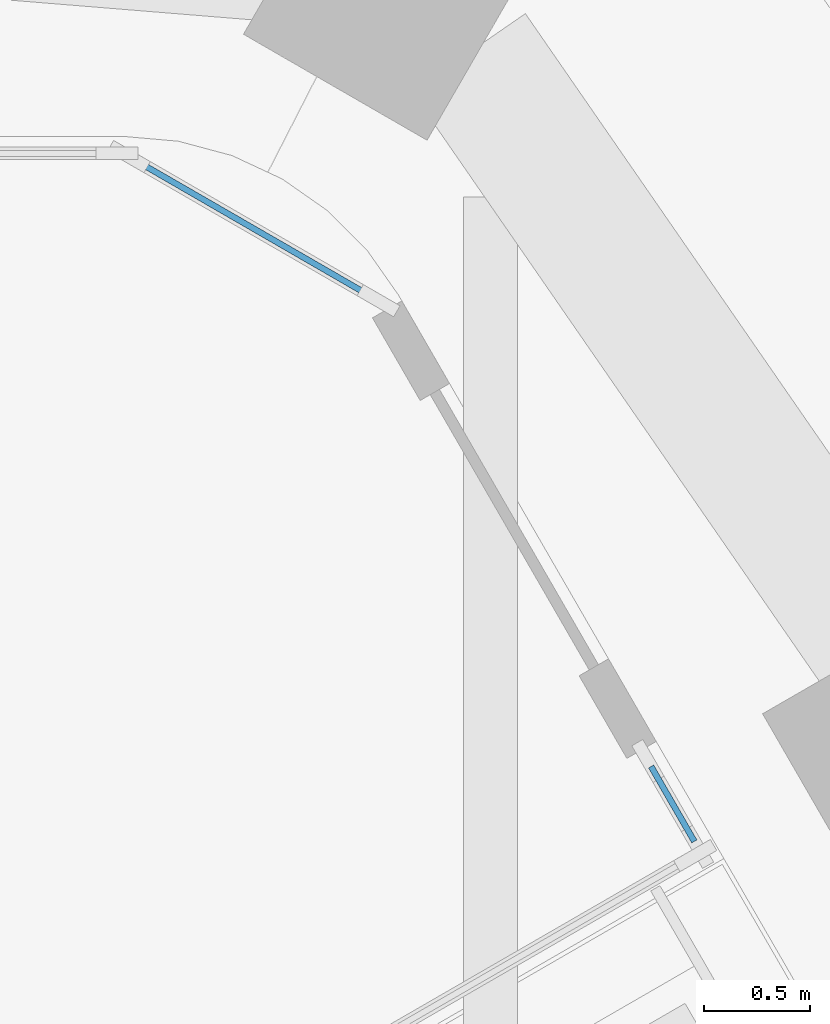
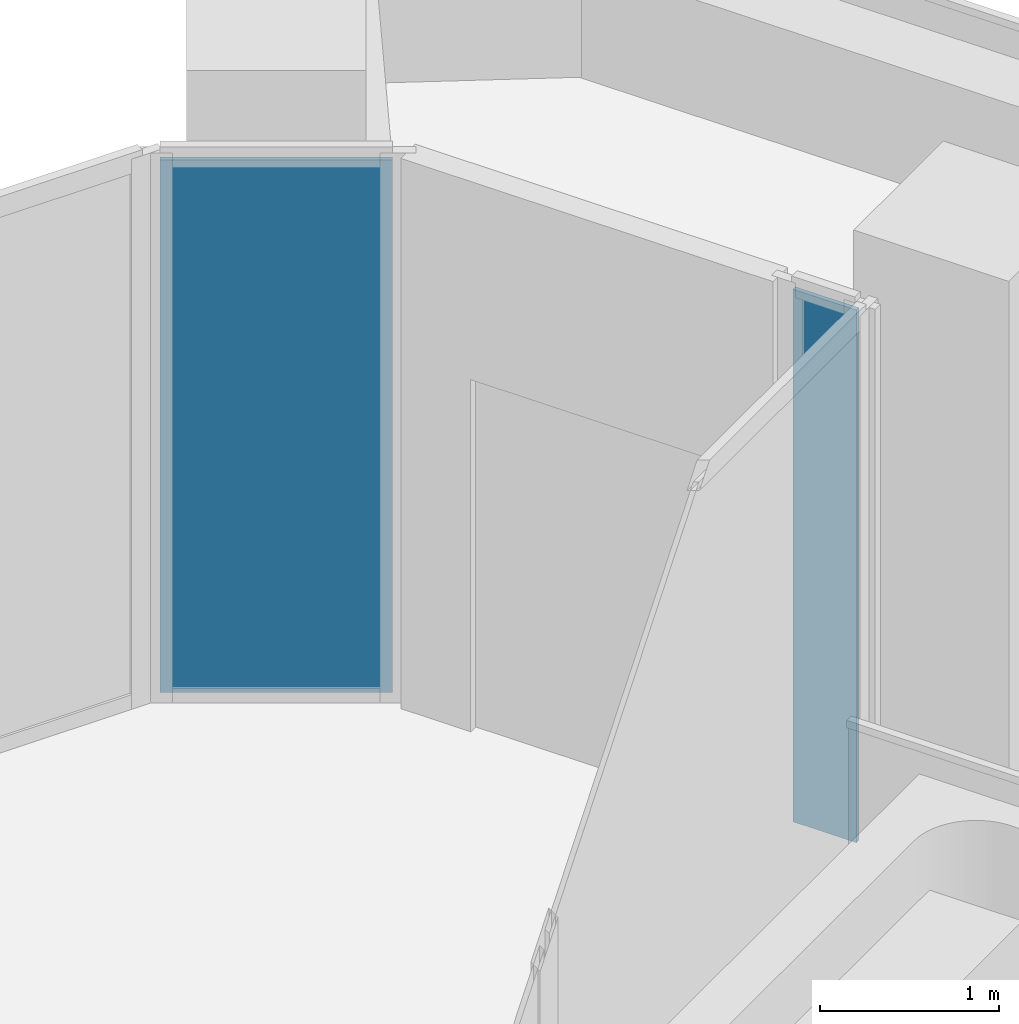
# One storey, part 10 of 17: 2 plates, 2 elements without a shape of their own.
"""IFC4 building model written with IfcOpenShell, lengths in metres."""

from ifc_helpers import new_model, si_unit, direction, frame, origin, origin_2d, place, context, subcontext, project, spatial, rectangle, extrude, material, layer, layer_set, type_object, element, aggregate, save


model = new_model("IFC4")

# Units and contexts
model_context = context("Model", 3, precision=1e-05, world=origin(), true_north=direction((0.0, 1.0)))
body_context = subcontext(model_context, "Body", "Model", "MODEL_VIEW")
ifc_project = project(units=[si_unit("LENGTHUNIT", "METRE"), si_unit("AREAUNIT", "SQUARE_METRE"), si_unit("VOLUMEUNIT", "CUBIC_METRE"), si_unit("PLANEANGLEUNIT", "RADIAN"), si_unit("MASSUNIT", "GRAM", prefix="KILO")], contexts=[model_context])

# Site, building, storey
site_placement = place(None, origin())
site = spatial("IfcSite", under=ifc_project, at=site_placement, CompositionType="ELEMENT")
building_placement = place(site_placement, origin())
building = spatial("IfcBuilding", under=site, at=building_placement, Name="Kolab Exchange Tower", CompositionType="ELEMENT")
storey_placement = place(building_placement, frame((0.0, 0.0, 181.699951171875)))
storey = spatial("IfcBuildingStorey", under=building, at=storey_placement, Name="L38", CompositionType="ELEMENT", Elevation=181.699951171875)

# Curtain wall, plate
ifc_material_1 = material(Name="Aluminium EN AW-6063 T6", Category="aluminium")
curtain_wall_type = type_object("IfcCurtainWallType", Name="UNITISED UPPER MID ZONE CURTAIN WALL", PredefinedType="NOTDEFINED", material=ifc_material_1)
curtain_wall_1_placement = place(storey_placement, origin())
curtain_wall_1 = element("IfcCurtainWall", 1, at=curtain_wall_1_placement, inside=storey, type_object=curtain_wall_type, Name="cw/L38/F2-l-1", PredefinedType="NOTDEFINED")
ifc_material_2 = material(Name="Clear insulated glazing unit", Category="glass")
ifc_layer = layer(ifc_material_2, 0.028076171875)
ifc_layer_set = layer_set([ifc_layer], Name="Clear insulated glazing unit")
plate_type = type_object("IfcPlateType", Name="UNITISED UPPER MID ZONE GLASS PANEL 28", PredefinedType="CURTAIN_PANEL", material=ifc_layer_set)
plate_1_placement = place(storey_placement, frame((15.259765625, 20.29248046875, 0.06005859375), z_axis=(0.0, 0.0, 1.0), x_axis=(0.500000091793, -0.866025350788, 0.0)))
plate_1 = element("IfcPlate", 2, at=plate_1_placement, type_object=plate_type, Name="CW3 panel 1.1", PredefinedType="CURTAIN_PANEL", context=body_context, shape_type="SweptSolid", body=[
    extrude(rectangle(XDim=0.407958984375, YDim=0.028076171875, at=origin_2d()), origin(), (0.0, 0.0, 1.0), 3.6298828125),
])
aggregate(curtain_wall_1, [plate_1])

curtain_wall_2_placement = place(storey_placement, origin())
curtain_wall_2 = element("IfcCurtainWall", 3, at=curtain_wall_2_placement, inside=storey, type_object=curtain_wall_type, Name="cw/L38/F1F2-corner", PredefinedType="NOTDEFINED")
plate_2_placement = place(storey_placement, frame((13.28271484375, 23.006591796875, 0.06005859375), z_axis=(0.0, 0.0, 1.0), x_axis=(0.866025390869, -0.50000002237, 0.0)))
plate_2 = element("IfcPlate", 4, at=plate_2_placement, type_object=plate_type, Name="CW3 panel 1.1", PredefinedType="CURTAIN_PANEL", context=body_context, shape_type="SweptSolid", body=[
    extrude(rectangle(XDim=1.300048828125, YDim=0.028076171875, at=origin_2d()), origin(), (0.0, 0.0, 1.0), 3.6298828125),
])
aggregate(curtain_wall_2, [plate_2])

save(model, "model.ifc")
